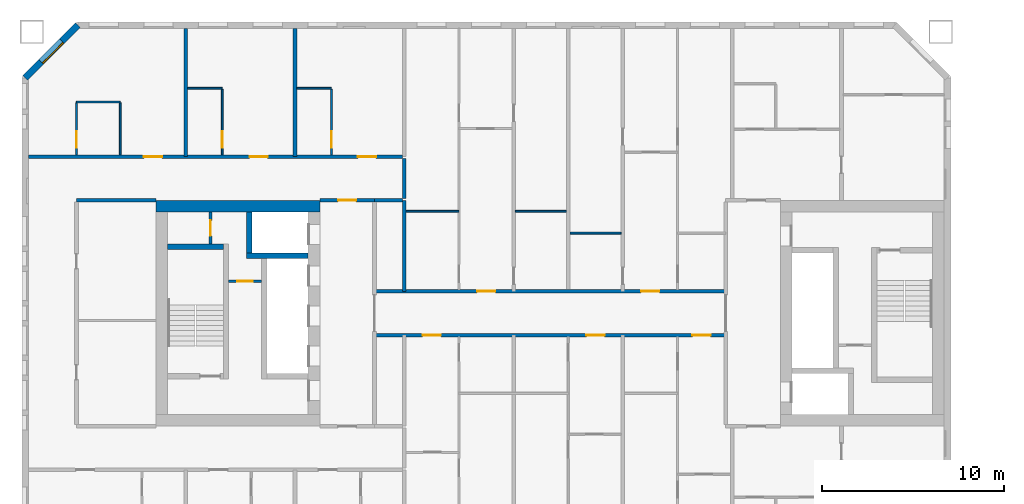
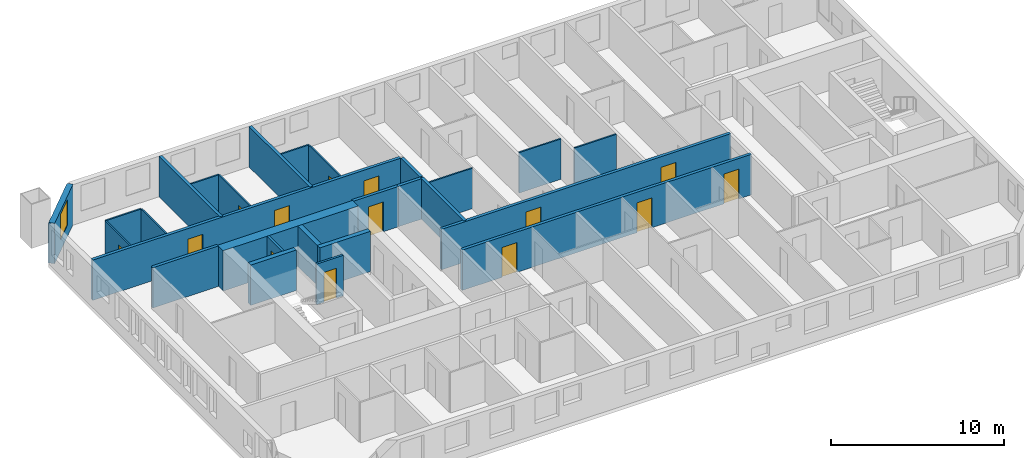
# One storey, part 5 of 17: 27 walls, 14 doors, 1 window, 15 openings.
"""IFC4 building model written with IfcOpenShell, lengths in metres."""

from ifc_helpers import new_model, si_unit, direction, frame, frame_2d, origin, place, context, subcontext, project, spatial, rectangle, extrude, material, layer, layer_set, type_object, element, fill, save


model = new_model("IFC4")

# Units and contexts
model_context = context("Model", 3, precision=1e-05, world=origin(), true_north=direction((0.0, 1.0)))
body_context = subcontext(model_context, "Body", "Model", "MODEL_VIEW")
ifc_project = project(units=[si_unit("LENGTHUNIT", "METRE"), si_unit("AREAUNIT", "SQUARE_METRE"), si_unit("VOLUMEUNIT", "CUBIC_METRE"), si_unit("PLANEANGLEUNIT", "RADIAN"), si_unit("MASSUNIT", "GRAM", prefix="KILO")], contexts=[model_context])

# Site, building, storey
site_placement = place(None, origin())
site = spatial("IfcSite", under=ifc_project, at=site_placement, CompositionType="ELEMENT")
building_placement = place(site_placement, origin())
building = spatial("IfcBuilding", under=site, at=building_placement, Name="Tuart Gate Housing", CompositionType="ELEMENT")
storey_placement = place(building_placement, frame((0.0, 0.0, 108.800048828125)))
storey = spatial("IfcBuildingStorey", under=building, at=storey_placement, Name="L30", CompositionType="ELEMENT", Elevation=108.800048828125)

# Wall, opening, window
ifc_material_1 = material(Name="Brick", Category="masonry")
ifc_layer_1 = layer(ifc_material_1, 0.360107421875)
ifc_layer_set_1 = layer_set([ifc_layer_1], Name="Brick pier and spandrel wall 360")
wall_type_1 = type_object("IfcWallType", Name="Brick pier and spandrel wall 360", PredefinedType="STANDARD", material=ifc_layer_set_1)
wall_1_placement = place(storey_placement, frame((28.07470703125, 85.820068359375, 0.0), z_axis=(0.0, 0.0, 1.0), x_axis=(-0.707106781187, -0.707106781187, 0.0)))
wall_1 = element("IfcWall", 1, at=wall_1_placement, inside=storey, type_object=wall_type_1, Name="External wall A-NW L30", PredefinedType="STANDARD", context=body_context, shape_type="SweptSolid", body=[
    extrude(rectangle(XDim=4.09375, YDim=0.360107421875, at=frame_2d((2.046875, 0.0))), origin(), (0.0, 0.0, 1.0), 2.849853515625),
])
opening_1_placement = place(wall_1_placement, frame((1.2470703125, 0.0, 0.800048828125)))
opening_1 = element("IfcOpeningElement", 2, at=opening_1_placement, cuts=wall_1, Name="Opening W1", PredefinedType="OPENING", context=body_context, shape_type="SweptSolid", body=[
    extrude(rectangle(XDim=1.60009765625, YDim=1.800048828125, at=frame_2d((0.800048828125, 0.89990234375))), frame((0.0, 0.18994140625, 0.0), z_axis=(0.0, -1.0, 0.0), x_axis=(1.0, 0.0, 0.0)), (0.0, 0.0, 1.0), 0.380126953125),
])
ifc_material_2 = material(Name="Aluminium frame with clear glass", Category="aluminium")
window_type = type_object("IfcWindowType", Name="Punched window 1600 x 1800", PartitioningType="SINGLE_PANEL", PredefinedType="WINDOW", material=ifc_material_2)
window_placement = place(opening_1_placement, origin())
window = element("IfcWindow", 3, at=window_placement, inside=storey, type_object=window_type, Name="Window W1", OverallHeight=1.800048828125, OverallWidth=1.60009765625, PartitioningType="SINGLE_PANEL", PredefinedType="WINDOW", context=body_context, shape_type="SweptSolid", body=[
    extrude(rectangle(XDim=1.60009765625, YDim=1.800048828125, at=frame_2d((0.800048828125, 0.89990234375))), frame((0.0, 0.150146484375, 0.0), z_axis=(0.0, -1.0, 0.0), x_axis=(1.0, 0.0, 0.0)), (0.0, 0.0, 1.0), 0.06005859375),
])
fill(opening_1, window)

# Wall, opening, door
ifc_material_3 = material(Name="Plasterboard partition")
ifc_layer_2 = layer(ifc_material_3, 0.14990234375)
ifc_layer_set_2 = layer_set([ifc_layer_2], Name="Core partition 150")
wall_type_2 = type_object("IfcWallType", Name="Core partition 150", PredefinedType="PARTITIONING", material=ifc_layer_set_2)
wall_2_placement = place(storey_placement, frame((38.159912109375, 71.75, 0.0), z_axis=(0.0, 0.0, 1.0), x_axis=(-1.0, 0.0, 0.0)))
wall_2 = element("IfcWall", 4, at=wall_2_placement, inside=storey, type_object=wall_type_2, Name="Core partition AK.3", PredefinedType="PARTITIONING", context=body_context, shape_type="SweptSolid", body=[
    extrude(rectangle(XDim=1.7998046875, YDim=0.14990234375, at=frame_2d((0.89990234375, 0.0))), origin(), (0.0, 0.0, 1.0), 2.849853515625),
])
opening_2_placement = place(wall_2_placement, frame((0.47509765625, 0.0, 0.0)))
opening_2 = element("IfcOpeningElement", 5, at=opening_2_placement, cuts=wall_2, Name="Opening D1202", PredefinedType="OPENING", context=body_context, shape_type="SweptSolid", body=[
    extrude(rectangle(XDim=0.85009765625, YDim=2.10009765625, at=frame_2d((0.425048828125, 1.050048828125))), frame((0.0, 0.0849609375, 0.0), z_axis=(0.0, -1.0, 0.0), x_axis=(1.0, 0.0, 0.0)), (0.0, 0.0, 1.0), 0.169921875),
])
ifc_material_4 = material(Name="Steel fire door", Category="steel")
door_type_1 = type_object("IfcDoorType", Name="Riser door 850 x 2100 RH", OperationType="SINGLE_SWING_RIGHT", PredefinedType="DOOR", material=ifc_material_4)
door_1_placement = place(opening_2_placement, frame((0.85009765625, 0.0, 0.0), z_axis=(0.0, 0.0, 1.0), x_axis=(-1.0, 0.0, 0.0)))
door_1 = element("IfcDoor", 6, at=door_1_placement, inside=storey, type_object=door_type_1, Name="Service room door AK.E1", OperationType="SINGLE_SWING_RIGHT", OverallHeight=2.10009765625, OverallWidth=0.85009765625, PredefinedType="DOOR", context=body_context, shape_type="SweptSolid", body=[
    extrude(rectangle(XDim=0.85009765625, YDim=2.10009765625, at=frame_2d((0.425048828125, 1.050048828125))), frame((0.0, 0.025146484375, 0.0), z_axis=(0.0, -1.0, 0.0), x_axis=(1.0, 0.0, 0.0)), (0.0, 0.0, 1.0), 0.050048828125),
])
fill(opening_2, door_1)

wall_3_placement = place(storey_placement, frame((35.360107421875, 75.550048828125, 0.0), z_axis=(0.0, 0.0, 1.0), x_axis=(0.0, -1.0, 0.0)))
wall_3 = element("IfcWall", 7, at=wall_3_placement, inside=storey, type_object=wall_type_2, Name="Core partition AK.9", PredefinedType="PARTITIONING", context=body_context, shape_type="SweptSolid", body=[
    extrude(rectangle(XDim=1.75, YDim=0.14990234375, at=frame_2d((0.875, 0.0))), origin(), (0.0, 0.0, 1.0), 2.849853515625),
])
opening_3_placement = place(wall_3_placement, frame((0.449951171875, 0.0, 0.0)))
opening_3 = element("IfcOpeningElement", 8, at=opening_3_placement, cuts=wall_3, Name="Opening D1200", PredefinedType="OPENING", context=body_context, shape_type="SweptSolid", body=[
    extrude(rectangle(XDim=0.85009765625, YDim=2.10009765625, at=frame_2d((0.425048828125, 1.050048828125))), frame((0.0, 0.0849609375, 0.0), z_axis=(0.0, -1.0, 0.0), x_axis=(1.0, 0.0, 0.0)), (0.0, 0.0, 1.0), 0.169921875),
])
ifc_material_5 = material(Name="Steel fire door", Category="steel")
door_type_2 = type_object("IfcDoorType", Name="Service door 850 x 2100", OperationType="SINGLE_SWING_LEFT", PredefinedType="DOOR", material=ifc_material_5)
door_2_placement = place(opening_3_placement, origin())
door_2 = element("IfcDoor", 9, at=door_2_placement, inside=storey, type_object=door_type_2, Name="Service room door AK.E2", OperationType="SINGLE_SWING_LEFT", OverallHeight=2.10009765625, OverallWidth=0.85009765625, PredefinedType="DOOR", context=body_context, shape_type="SweptSolid", body=[
    extrude(rectangle(XDim=0.85009765625, YDim=2.10009765625, at=frame_2d((0.425048828125, 1.050048828125))), frame((0.0, 0.02490234375, 0.0), z_axis=(0.0, -1.0, 0.0), x_axis=(1.0, 0.0, 0.0)), (0.0, 0.0, 1.0), 0.050048828125),
])
fill(opening_3, door_2)

# Walls
ifc_material_6 = material(Name="Concrete C50", Category="concrete")
ifc_layer_3 = layer(ifc_material_6, 0.300048828125)
ifc_layer_set_3 = layer_set([ifc_layer_3], Name="Core wall 300 C50")
wall_type_3 = type_object("IfcWallType", Name="Core wall 300 C50", PredefinedType="SHEAR", material=ifc_layer_set_3)
wall_4_placement = place(storey_placement, frame((36.06005859375, 73.64990234375, 0.0), z_axis=(0.0, 0.0, 1.0), x_axis=(-1.0, 0.0, 0.0)))
element("IfcWall", 10, at=wall_4_placement, inside=storey, type_object=wall_type_3, Name="Core wall AK.1", PredefinedType="SHEAR", context=body_context, shape_type="SweptSolid", body=[
    extrude(rectangle(XDim=3.050048828125, YDim=0.300048828125, at=frame_2d((1.52490234375, 0.0))), origin(), (0.0, 0.0, 1.0), 2.849853515625),
])
wall_5_placement = place(storey_placement, frame((40.7099609375, 73.14990234375, 0.0), z_axis=(0.0, 0.0, 1.0), x_axis=(-1.0, 0.0, 0.0)))
element("IfcWall", 11, at=wall_5_placement, inside=storey, type_object=wall_type_3, Name="Core wall AK.2", PredefinedType="SHEAR", context=body_context, shape_type="SweptSolid", body=[
    extrude(rectangle(XDim=3.369873046875, YDim=0.300048828125, at=frame_2d((1.68505859375, 0.0))), origin(), (0.0, 0.0, 1.0), 2.849853515625),
])
wall_6_placement = place(storey_placement, frame((37.489990234375, 75.550048828125, 0.0), z_axis=(0.0, 0.0, 1.0), x_axis=(0.0, -1.0, 0.0)))
element("IfcWall", 12, at=wall_6_placement, inside=storey, type_object=wall_type_3, Name="Core wall AK.7", PredefinedType="SHEAR", context=body_context, shape_type="SweptSolid", body=[
    extrude(rectangle(XDim=2.25, YDim=0.300048828125, at=frame_2d((1.125, 0.0))), origin(), (0.0, 0.0, 1.0), 2.849853515625),
])
ifc_material_7 = material(Name="Concrete C50", Category="concrete")
ifc_layer_4 = layer(ifc_material_7, 0.64990234375)
ifc_layer_set_4 = layer_set([ifc_layer_4], Name="Core wall 650 C50")
wall_type_4 = type_object("IfcWallType", Name="Core wall 650 C50", PredefinedType="SHEAR", material=ifc_layer_set_4)
wall_7_placement = place(storey_placement, frame((41.360107421875, 75.875, 0.0), z_axis=(0.0, 0.0, 1.0), x_axis=(-1.0, 0.0, 0.0)))
element("IfcWall", 13, at=wall_7_placement, inside=storey, type_object=wall_type_4, Name="Core wall AK south", PredefinedType="SHEAR", context=body_context, shape_type="SweptSolid", body=[
    extrude(rectangle(XDim=9.0, YDim=0.64990234375, at=frame_2d((4.5, 0.0))), origin(), (0.0, 0.0, 1.0), 2.849853515625),
])

# Wall, openings, doors
ifc_material_8 = material(Name="Concrete masonry 15 MPa", Category="masonry")
ifc_layer_5 = layer(ifc_material_8, 0.199951171875)
ifc_layer_set_5 = layer_set([ifc_layer_5], Name="Corridor wall masonry 200")
wall_type_5 = type_object("IfcWallType", Name="Corridor wall masonry 200", PredefinedType="PARTITIONING", material=ifc_layer_set_5)
wall_8_placement = place(storey_placement, frame((44.360107421875, 68.800048828125, 0.0), z_axis=(0.0, 0.0, 1.0), x_axis=(1.0, 0.0, 0.0)))
wall_8 = element("IfcWall", 14, at=wall_8_placement, inside=storey, type_object=wall_type_5, Name="Corridor wall masonry 200", PredefinedType="PARTITIONING", context=body_context, shape_type="SweptSolid", body=[
    extrude(rectangle(XDim=19.27978515625, YDim=0.199951171875, at=frame_2d((9.639892578125, 0.0))), origin(), (0.0, 0.0, 1.0), 2.849853515625),
])
opening_4_placement = place(wall_8_placement, frame((17.4599609375, 0.0, 0.0)))
opening_4 = element("IfcOpeningElement", 15, at=opening_4_placement, cuts=wall_8, Name="Opening D1211", PredefinedType="OPENING", context=body_context, shape_type="SweptSolid", body=[
    extrude(rectangle(XDim=1.0, YDim=2.10009765625, at=frame_2d((0.5, 1.050048828125))), frame((0.0, 0.10986328125, 0.0), z_axis=(0.0, -1.0, 0.0), x_axis=(1.0, 0.0, 0.0)), (0.0, 0.0, 1.0), 0.219970703125),
])
opening_5_placement = place(wall_8_placement, frame((11.639892578125, 0.0, 0.0)))
opening_5 = element("IfcOpeningElement", 16, at=opening_5_placement, cuts=wall_8, Name="Opening D1212", PredefinedType="OPENING", context=body_context, shape_type="SweptSolid", body=[
    extrude(rectangle(XDim=1.0, YDim=2.10009765625, at=frame_2d((0.5, 1.050048828125))), frame((0.0, 0.10986328125, 0.0), z_axis=(0.0, -1.0, 0.0), x_axis=(1.0, 0.0, 0.0)), (0.0, 0.0, 1.0), 0.219970703125),
])
opening_6_placement = place(wall_8_placement, frame((2.639892578125, 0.0, 0.0)))
opening_6 = element("IfcOpeningElement", 17, at=opening_6_placement, cuts=wall_8, Name="Opening D1213", PredefinedType="OPENING", context=body_context, shape_type="SweptSolid", body=[
    extrude(rectangle(XDim=1.0, YDim=2.10009765625, at=frame_2d((0.5, 1.050048828125))), frame((0.0, 0.10986328125, 0.0), z_axis=(0.0, -1.0, 0.0), x_axis=(1.0, 0.0, 0.0)), (0.0, 0.0, 1.0), 0.219970703125),
])
ifc_material_9 = material(Name="Timber door leaf in steel frame", Category="steel")
door_type_3 = type_object("IfcDoorType", Name="Flat entrance door 1000 RH", OperationType="SINGLE_SWING_RIGHT", PredefinedType="DOOR", material=ifc_material_9)
door_3_placement = place(opening_4_placement, frame((1.0, 0.0, 0.0), z_axis=(0.0, 0.0, 1.0), x_axis=(-1.0, 0.0, 0.0)))
door_3 = element("IfcDoor", 18, at=door_3_placement, inside=storey, type_object=door_type_3, Name="Flat entrance door", OperationType="SINGLE_SWING_RIGHT", OverallHeight=2.10009765625, OverallWidth=1.0, PredefinedType="DOOR", context=body_context, shape_type="SweptSolid", body=[
    extrude(rectangle(XDim=1.0, YDim=2.10009765625, at=frame_2d((0.5, 1.050048828125))), frame((0.0, 0.025146484375, 0.0), z_axis=(0.0, -1.0, 0.0), x_axis=(1.0, 0.0, 0.0)), (0.0, 0.0, 1.0), 0.050048828125),
])
fill(opening_4, door_3)
door_4_placement = place(opening_5_placement, frame((1.0, 0.0, 0.0), z_axis=(0.0, 0.0, 1.0), x_axis=(-1.0, 0.0, 0.0)))
door_4 = element("IfcDoor", 19, at=door_4_placement, inside=storey, type_object=door_type_3, Name="Flat entrance door", OperationType="SINGLE_SWING_RIGHT", OverallHeight=2.10009765625, OverallWidth=1.0, PredefinedType="DOOR", context=body_context, shape_type="SweptSolid", body=[
    extrude(rectangle(XDim=1.0, YDim=2.10009765625, at=frame_2d((0.5, 1.050048828125))), frame((0.0, 0.025146484375, 0.0), z_axis=(0.0, -1.0, 0.0), x_axis=(1.0, 0.0, 0.0)), (0.0, 0.0, 1.0), 0.050048828125),
])
fill(opening_5, door_4)
door_5_placement = place(opening_6_placement, frame((1.0, 0.0, 0.0), z_axis=(0.0, 0.0, 1.0), x_axis=(-1.0, 0.0, 0.0)))
door_5 = element("IfcDoor", 20, at=door_5_placement, inside=storey, type_object=door_type_3, Name="Flat entrance door", OperationType="SINGLE_SWING_RIGHT", OverallHeight=2.10009765625, OverallWidth=1.0, PredefinedType="DOOR", context=body_context, shape_type="SweptSolid", body=[
    extrude(rectangle(XDim=1.0, YDim=2.10009765625, at=frame_2d((0.5, 1.050048828125))), frame((0.0, 0.025146484375, 0.0), z_axis=(0.0, -1.0, 0.0), x_axis=(1.0, 0.0, 0.0)), (0.0, 0.0, 1.0), 0.050048828125),
])
fill(opening_6, door_5)

wall_9_placement = place(storey_placement, frame((44.360107421875, 71.199951171875, 0.0), z_axis=(0.0, 0.0, 1.0), x_axis=(1.0, 0.0, 0.0)))
wall_9 = element("IfcWall", 21, at=wall_9_placement, inside=storey, type_object=wall_type_5, Name="Corridor wall masonry 200", PredefinedType="PARTITIONING", context=body_context, shape_type="SweptSolid", body=[
    extrude(rectangle(XDim=19.27978515625, YDim=0.199951171875, at=frame_2d((9.639892578125, 0.0))), origin(), (0.0, 0.0, 1.0), 2.849853515625),
])
opening_7_placement = place(wall_9_placement, frame((14.639892578125, 0.0, 0.0)))
opening_7 = element("IfcOpeningElement", 22, at=opening_7_placement, cuts=wall_9, Name="Opening D1203", PredefinedType="OPENING", context=body_context, shape_type="SweptSolid", body=[
    extrude(rectangle(XDim=1.0, YDim=2.10009765625, at=frame_2d((0.5, 1.050048828125))), frame((0.0, 0.10986328125, 0.0), z_axis=(0.0, -1.0, 0.0), x_axis=(1.0, 0.0, 0.0)), (0.0, 0.0, 1.0), 0.219970703125),
])
opening_8_placement = place(wall_9_placement, frame((5.639892578125, 0.0, 0.0)))
opening_8 = element("IfcOpeningElement", 23, at=opening_8_placement, cuts=wall_9, Name="Opening D1204", PredefinedType="OPENING", context=body_context, shape_type="SweptSolid", body=[
    extrude(rectangle(XDim=1.0, YDim=2.10009765625, at=frame_2d((0.5, 1.050048828125))), frame((0.0, 0.10986328125, 0.0), z_axis=(0.0, -1.0, 0.0), x_axis=(1.0, 0.0, 0.0)), (0.0, 0.0, 1.0), 0.219970703125),
])
ifc_material_10 = material(Name="Timber door leaf in steel frame", Category="steel")
door_type_4 = type_object("IfcDoorType", Name="Flat entrance door 1000", OperationType="SINGLE_SWING_LEFT", PredefinedType="DOOR", material=ifc_material_10)
door_6_placement = place(opening_7_placement, origin())
door_6 = element("IfcDoor", 24, at=door_6_placement, inside=storey, type_object=door_type_4, Name="Flat entrance door", OperationType="SINGLE_SWING_LEFT", OverallHeight=2.10009765625, OverallWidth=1.0, PredefinedType="DOOR", context=body_context, shape_type="SweptSolid", body=[
    extrude(rectangle(XDim=1.0, YDim=2.10009765625, at=frame_2d((0.5, 1.050048828125))), frame((0.0, 0.02490234375, 0.0), z_axis=(0.0, -1.0, 0.0), x_axis=(1.0, 0.0, 0.0)), (0.0, 0.0, 1.0), 0.050048828125),
])
fill(opening_7, door_6)
door_7_placement = place(opening_8_placement, origin())
door_7 = element("IfcDoor", 25, at=door_7_placement, inside=storey, type_object=door_type_4, Name="Flat entrance door", OperationType="SINGLE_SWING_LEFT", OverallHeight=2.10009765625, OverallWidth=1.0, PredefinedType="DOOR", context=body_context, shape_type="SweptSolid", body=[
    extrude(rectangle(XDim=1.0, YDim=2.10009765625, at=frame_2d((0.5, 1.050048828125))), frame((0.0, 0.02490234375, 0.0), z_axis=(0.0, -1.0, 0.0), x_axis=(1.0, 0.0, 0.0)), (0.0, 0.0, 1.0), 0.050048828125),
])
fill(opening_8, door_7)

# Walls
wall_10_placement = place(storey_placement, frame((28.0, 76.199951171875, 0.0), z_axis=(0.0, 0.0, 1.0), x_axis=(1.0, 0.0, 0.0)))
element("IfcWall", 26, at=wall_10_placement, inside=storey, type_object=wall_type_5, Name="Corridor wall masonry 200", PredefinedType="PARTITIONING", context=body_context, shape_type="SweptSolid", body=[
    extrude(rectangle(XDim=4.360107421875, YDim=0.199951171875, at=frame_2d((2.18017578125, 0.0))), origin(), (0.0, 0.0, 1.0), 2.849853515625),
])
wall_11_placement = place(storey_placement, frame((44.360107421875, 76.199951171875, 0.0), z_axis=(0.0, 0.0, 1.0), x_axis=(1.0, 0.0, 0.0)))
element("IfcWall", 27, at=wall_11_placement, inside=storey, type_object=wall_type_5, Name="Corridor wall masonry 200", PredefinedType="PARTITIONING", context=body_context, shape_type="SweptSolid", body=[
    extrude(rectangle(XDim=1.539794921875, YDim=0.199951171875, at=frame_2d((0.77001953125, 0.0))), origin(), (0.0, 0.0, 1.0), 2.849853515625),
])

# Wall, openings, doors
wall_12_placement = place(storey_placement, frame((25.360107421875, 78.60009765625, 0.0), z_axis=(0.0, 0.0, 1.0), x_axis=(1.0, 0.0, 0.0)))
wall_12 = element("IfcWall", 28, at=wall_12_placement, inside=storey, type_object=wall_type_5, Name="Corridor wall masonry 200", PredefinedType="PARTITIONING", context=body_context, shape_type="SweptSolid", body=[
    extrude(rectangle(XDim=20.539794921875, YDim=0.199951171875, at=frame_2d((10.27001953125, 0.0))), origin(), (0.0, 0.0, 1.0), 2.849853515625),
])
opening_9_placement = place(wall_12_placement, frame((18.090087890625, 0.0, 0.0)))
opening_9 = element("IfcOpeningElement", 29, at=opening_9_placement, cuts=wall_12, Name="Opening D1187", PredefinedType="OPENING", context=body_context, shape_type="SweptSolid", body=[
    extrude(rectangle(XDim=1.0, YDim=2.10009765625, at=frame_2d((0.5, 1.050048828125))), frame((0.0, 0.10986328125, 0.0), z_axis=(0.0, -1.0, 0.0), x_axis=(1.0, 0.0, 0.0)), (0.0, 0.0, 1.0), 0.219970703125),
])
opening_10_placement = place(wall_12_placement, frame((12.139892578125, 0.0, 0.0)))
opening_10 = element("IfcOpeningElement", 30, at=opening_10_placement, cuts=wall_12, Name="Opening D1188", PredefinedType="OPENING", context=body_context, shape_type="SweptSolid", body=[
    extrude(rectangle(XDim=1.0, YDim=2.10009765625, at=frame_2d((0.5, 1.050048828125))), frame((0.0, 0.10986328125, 0.0), z_axis=(0.0, -1.0, 0.0), x_axis=(1.0, 0.0, 0.0)), (0.0, 0.0, 1.0), 0.219970703125),
])
opening_11_placement = place(wall_12_placement, frame((6.340087890625, 0.0, 0.0)))
opening_11 = element("IfcOpeningElement", 31, at=opening_11_placement, cuts=wall_12, Name="Opening D1189", PredefinedType="OPENING", context=body_context, shape_type="SweptSolid", body=[
    extrude(rectangle(XDim=1.0, YDim=2.10009765625, at=frame_2d((0.5, 1.050048828125))), frame((0.0, 0.10986328125, 0.0), z_axis=(0.0, -1.0, 0.0), x_axis=(1.0, 0.0, 0.0)), (0.0, 0.0, 1.0), 0.219970703125),
])
door_8_placement = place(opening_9_placement, origin())
door_8 = element("IfcDoor", 32, at=door_8_placement, inside=storey, type_object=door_type_4, Name="Flat entrance door", OperationType="SINGLE_SWING_LEFT", OverallHeight=2.10009765625, OverallWidth=1.0, PredefinedType="DOOR", context=body_context, shape_type="SweptSolid", body=[
    extrude(rectangle(XDim=1.0, YDim=2.10009765625, at=frame_2d((0.5, 1.050048828125))), frame((0.0, 0.02490234375, 0.0), z_axis=(0.0, -1.0, 0.0), x_axis=(1.0, 0.0, 0.0)), (0.0, 0.0, 1.0), 0.050048828125),
])
fill(opening_9, door_8)
door_9_placement = place(opening_10_placement, origin())
door_9 = element("IfcDoor", 33, at=door_9_placement, inside=storey, type_object=door_type_4, Name="Flat entrance door", OperationType="SINGLE_SWING_LEFT", OverallHeight=2.10009765625, OverallWidth=1.0, PredefinedType="DOOR", context=body_context, shape_type="SweptSolid", body=[
    extrude(rectangle(XDim=1.0, YDim=2.10009765625, at=frame_2d((0.5, 1.050048828125))), frame((0.0, 0.02490234375, 0.0), z_axis=(0.0, -1.0, 0.0), x_axis=(1.0, 0.0, 0.0)), (0.0, 0.0, 1.0), 0.050048828125),
])
fill(opening_10, door_9)
door_10_placement = place(opening_11_placement, origin())
door_10 = element("IfcDoor", 34, at=door_10_placement, inside=storey, type_object=door_type_4, Name="Flat entrance door", OperationType="SINGLE_SWING_LEFT", OverallHeight=2.10009765625, OverallWidth=1.0, PredefinedType="DOOR", context=body_context, shape_type="SweptSolid", body=[
    extrude(rectangle(XDim=1.0, YDim=2.10009765625, at=frame_2d((0.5, 1.050048828125))), frame((0.0, 0.02490234375, 0.0), z_axis=(0.0, -1.0, 0.0), x_axis=(1.0, 0.0, 0.0)), (0.0, 0.0, 1.0), 0.050048828125),
])
fill(opening_11, door_10)

# Wall
wall_13_placement = place(storey_placement, frame((46.0, 76.300048828125, 0.0), z_axis=(0.0, 0.0, 1.0), x_axis=(0.0, 1.0, 0.0)))
element("IfcWall", 35, at=wall_13_placement, inside=storey, type_object=wall_type_5, Name="Corridor wall masonry 200", PredefinedType="PARTITIONING", context=body_context, shape_type="SweptSolid", body=[
    extrude(rectangle(XDim=2.199951171875, YDim=0.199951171875, at=frame_2d((1.10009765625, 0.0))), origin(), (0.0, 0.0, 1.0), 2.849853515625),
])

# Wall, opening, door
ifc_material_11 = material(Name="Concrete masonry 15 MPa", Category="masonry")
ifc_layer_6 = layer(ifc_material_11, 0.199951171875)
ifc_layer_set_6 = layer_set([ifc_layer_6], Name="Enclosure wall masonry 200")
wall_type_6 = type_object("IfcWallType", Name="Enclosure wall masonry 200", PredefinedType="PARTITIONING", material=ifc_layer_set_6)
wall_14_placement = place(storey_placement, frame((41.360107421875, 76.199951171875, 0.0), z_axis=(0.0, 0.0, 1.0), x_axis=(1.0, 0.0, 0.0)))
wall_14 = element("IfcWall", 36, at=wall_14_placement, inside=storey, type_object=wall_type_6, Name="Enclosure wall masonry 200", PredefinedType="PARTITIONING", context=body_context, shape_type="SweptSolid", body=[
    extrude(rectangle(XDim=3.0, YDim=0.199951171875, at=frame_2d((1.5, 0.0))), origin(), (0.0, 0.0, 1.0), 2.849853515625),
])
opening_12_placement = place(wall_14_placement, frame((1.0, 0.0, 0.0)))
opening_12 = element("IfcOpeningElement", 37, at=opening_12_placement, cuts=wall_14, Name="Opening D1198", PredefinedType="OPENING", context=body_context, shape_type="SweptSolid", body=[
    extrude(rectangle(XDim=1.0, YDim=2.10009765625, at=frame_2d((0.5, 1.050048828125))), frame((0.0, 0.10986328125, 0.0), z_axis=(0.0, -1.0, 0.0), x_axis=(1.0, 0.0, 0.0)), (0.0, 0.0, 1.0), 0.219970703125),
])
ifc_material_12 = material(Name="Timber door leaf in steel frame", Category="steel")
door_type_5 = type_object("IfcDoorType", Name="Fire door 1000 RH", OperationType="SINGLE_SWING_RIGHT", PredefinedType="DOOR", material=ifc_material_12)
door_11_placement = place(opening_12_placement, origin())
door_11 = element("IfcDoor", 38, at=door_11_placement, inside=storey, type_object=door_type_5, Name="Fire door", OperationType="SINGLE_SWING_RIGHT", OverallHeight=2.10009765625, OverallWidth=1.0, PredefinedType="DOOR", context=body_context, shape_type="SweptSolid", body=[
    extrude(rectangle(XDim=1.0, YDim=2.10009765625, at=frame_2d((0.5, 1.050048828125))), frame((0.0, 0.02490234375, 0.0), z_axis=(0.0, -1.0, 0.0), x_axis=(1.0, 0.0, 0.0)), (0.0, 0.0, 1.0), 0.050048828125),
])
fill(opening_12, door_11)

# Walls
ifc_material_13 = material(Name="Gypsum board on steel studs", Category="steel")
ifc_layer_7 = layer(ifc_material_13, 0.10009765625)
ifc_layer_set_7 = layer_set([ifc_layer_7], Name="Partition 100")
wall_type_7 = type_object("IfcWallType", Name="Partition 100", PredefinedType="PARTITIONING", material=ifc_layer_set_7)
wall_15_placement = place(storey_placement, frame((55.10009765625, 74.39990234375, 0.0), z_axis=(0.0, 0.0, 1.0), x_axis=(1.0, 0.0, 0.0)))
element("IfcWall", 39, at=wall_15_placement, inside=storey, type_object=wall_type_7, Name="Partition 100", PredefinedType="PARTITIONING", context=body_context, shape_type="SweptSolid", body=[
    extrude(rectangle(XDim=2.7998046875, YDim=0.10009765625, at=frame_2d((1.39990234375, 0.0))), origin(), (0.0, 0.0, 1.0), 2.849853515625),
])
wall_16_placement = place(storey_placement, frame((46.10009765625, 75.60009765625, 0.0), z_axis=(0.0, 0.0, 1.0), x_axis=(1.0, 0.0, 0.0)))
element("IfcWall", 40, at=wall_16_placement, inside=storey, type_object=wall_type_7, Name="Partition 100", PredefinedType="PARTITIONING", context=body_context, shape_type="SweptSolid", body=[
    extrude(rectangle(XDim=2.89990234375, YDim=0.10009765625, at=frame_2d((1.449951171875, 0.0))), origin(), (0.0, 0.0, 1.0), 2.849853515625),
])
wall_17_placement = place(storey_placement, frame((52.10009765625, 75.60009765625, 0.0), z_axis=(0.0, 0.0, 1.0), x_axis=(1.0, 0.0, 0.0)))
element("IfcWall", 41, at=wall_17_placement, inside=storey, type_object=wall_type_7, Name="Partition 100", PredefinedType="PARTITIONING", context=body_context, shape_type="SweptSolid", body=[
    extrude(rectangle(XDim=2.7998046875, YDim=0.10009765625, at=frame_2d((1.39990234375, 0.0))), origin(), (0.0, 0.0, 1.0), 2.849853515625),
])
wall_18_placement = place(storey_placement, frame((28.0, 81.60009765625, 0.0), z_axis=(0.0, 0.0, 1.0), x_axis=(1.0, 0.0, 0.0)))
element("IfcWall", 42, at=wall_18_placement, inside=storey, type_object=wall_type_7, Name="Partition 100", PredefinedType="PARTITIONING", context=body_context, shape_type="SweptSolid", body=[
    extrude(rectangle(XDim=2.39990234375, YDim=0.10009765625, at=frame_2d((1.199951171875, 0.0))), origin(), (0.0, 0.0, 1.0), 2.849853515625),
])
for number, where, z_axis, x_axis, name in (
    (43, (34.10009765625, 82.35009765625, 0.0), (0.0, 0.0, 1.0), (1.0, 0.0, 0.0), "Partition 100"),
    (44, (40.10009765625, 82.35009765625, 0.0), (0.0, 0.0, 1.0), (1.0, 0.0, 0.0), "Partition 100"),
):
    element("IfcWall", number, at=place(storey_placement, frame(where, z_axis=z_axis, x_axis=x_axis)), inside=storey, type_object=wall_type_7, Name=name, PredefinedType="PARTITIONING", context=body_context, shape_type="SweptSolid", body=[
        extrude(rectangle(XDim=1.89990234375, YDim=0.10009765625, at=frame_2d((0.949951171875, 0.0))), origin(), (0.0, 0.0, 1.0), 2.849853515625),
    ])

# Wall, opening, door
wall_19_placement = place(storey_placement, frame((28.0, 78.699951171875, 0.0), z_axis=(0.0, 0.0, 1.0), x_axis=(0.0, 1.0, 0.0)))
wall_19 = element("IfcWall", 45, at=wall_19_placement, inside=storey, type_object=wall_type_7, Name="Partition 100", PredefinedType="PARTITIONING", context=body_context, shape_type="SweptSolid", body=[
    extrude(rectangle(XDim=2.85009765625, YDim=0.10009765625, at=frame_2d((1.425048828125, 0.0))), origin(), (0.0, 0.0, 1.0), 2.849853515625),
])
opening_13_placement = place(wall_19_placement, frame((0.39990234375, 0.0, 0.0)))
opening_13 = element("IfcOpeningElement", 46, at=opening_13_placement, cuts=wall_19, Name="Opening D1183", PredefinedType="OPENING", context=body_context, shape_type="SweptSolid", body=[
    extrude(rectangle(XDim=0.89990234375, YDim=2.10009765625, at=frame_2d((0.449951171875, 1.050048828125))), frame((0.0, 0.06005859375, 0.0), z_axis=(0.0, -1.0, 0.0), x_axis=(1.0, 0.0, 0.0)), (0.0, 0.0, 1.0), 0.1201171875),
])
ifc_material_14 = material(Name="Timber door leaf in steel frame", Category="steel")
door_type_6 = type_object("IfcDoorType", Name="Bathroom door 900 RH", OperationType="SINGLE_SWING_RIGHT", PredefinedType="DOOR", material=ifc_material_14)
door_12_placement = place(opening_13_placement, frame((0.89990234375, 0.0, 0.0), z_axis=(0.0, 0.0, 1.0), x_axis=(-1.0, 0.0, 0.0)))
door_12 = element("IfcDoor", 47, at=door_12_placement, inside=storey, type_object=door_type_6, Name="Bathroom door", OperationType="SINGLE_SWING_RIGHT", OverallHeight=2.10009765625, OverallWidth=0.89990234375, PredefinedType="DOOR", context=body_context, shape_type="SweptSolid", body=[
    extrude(rectangle(XDim=0.89990234375, YDim=2.10009765625, at=frame_2d((0.449951171875, 1.050048828125))), frame((0.0, 0.025146484375, 0.0), z_axis=(0.0, -1.0, 0.0), x_axis=(1.0, 0.0, 0.0)), (0.0, 0.0, 1.0), 0.050048828125),
])
fill(opening_13, door_12)

# Wall
wall_20_placement = place(storey_placement, frame((30.39990234375, 78.699951171875, 0.0), z_axis=(0.0, 0.0, 1.0), x_axis=(0.0, 1.0, 0.0)))
element("IfcWall", 48, at=wall_20_placement, inside=storey, type_object=wall_type_7, Name="Partition 100", PredefinedType="PARTITIONING", context=body_context, shape_type="SweptSolid", body=[
    extrude(rectangle(XDim=2.85009765625, YDim=0.10009765625, at=frame_2d((1.425048828125, 0.0))), origin(), (0.0, 0.0, 1.0), 2.849853515625),
])

# Wall, opening, door
wall_21_placement = place(storey_placement, frame((36.0, 78.699951171875, 0.0), z_axis=(0.0, 0.0, 1.0), x_axis=(0.0, 1.0, 0.0)))
wall_21 = element("IfcWall", 49, at=wall_21_placement, inside=storey, type_object=wall_type_7, Name="Partition 100", PredefinedType="PARTITIONING", context=body_context, shape_type="SweptSolid", body=[
    extrude(rectangle(XDim=3.60009765625, YDim=0.10009765625, at=frame_2d((1.800048828125, 0.0))), origin(), (0.0, 0.0, 1.0), 2.849853515625),
])
opening_14_placement = place(wall_21_placement, frame((0.39990234375, 0.0, 0.0)))
opening_14 = element("IfcOpeningElement", 50, at=opening_14_placement, cuts=wall_21, Name="Opening D1180", PredefinedType="OPENING", context=body_context, shape_type="SweptSolid", body=[
    extrude(rectangle(XDim=0.89990234375, YDim=2.10009765625, at=frame_2d((0.449951171875, 1.050048828125))), frame((0.0, 0.06005859375, 0.0), z_axis=(0.0, -1.0, 0.0), x_axis=(1.0, 0.0, 0.0)), (0.0, 0.0, 1.0), 0.1201171875),
])
ifc_material_15 = material(Name="Timber door leaf in steel frame", Category="steel")
door_type_7 = type_object("IfcDoorType", Name="Bathroom door 900", OperationType="SINGLE_SWING_LEFT", PredefinedType="DOOR", material=ifc_material_15)
door_13_placement = place(opening_14_placement, origin())
door_13 = element("IfcDoor", 51, at=door_13_placement, inside=storey, type_object=door_type_7, Name="Bathroom door", OperationType="SINGLE_SWING_LEFT", OverallHeight=2.10009765625, OverallWidth=0.89990234375, PredefinedType="DOOR", context=body_context, shape_type="SweptSolid", body=[
    extrude(rectangle(XDim=0.89990234375, YDim=2.10009765625, at=frame_2d((0.449951171875, 1.050048828125))), frame((0.0, 0.02490234375, 0.0), z_axis=(0.0, -1.0, 0.0), x_axis=(1.0, 0.0, 0.0)), (0.0, 0.0, 1.0), 0.050048828125),
])
fill(opening_14, door_13)

wall_22_placement = place(storey_placement, frame((42.0, 78.699951171875, 0.0), z_axis=(0.0, 0.0, 1.0), x_axis=(0.0, 1.0, 0.0)))
wall_22 = element("IfcWall", 52, at=wall_22_placement, inside=storey, type_object=wall_type_7, Name="Partition 100", PredefinedType="PARTITIONING", context=body_context, shape_type="SweptSolid", body=[
    extrude(rectangle(XDim=3.60009765625, YDim=0.10009765625, at=frame_2d((1.800048828125, 0.0))), origin(), (0.0, 0.0, 1.0), 2.849853515625),
])
opening_15_placement = place(wall_22_placement, frame((0.39990234375, 0.0, 0.0)))
opening_15 = element("IfcOpeningElement", 53, at=opening_15_placement, cuts=wall_22, Name="Opening D1181", PredefinedType="OPENING", context=body_context, shape_type="SweptSolid", body=[
    extrude(rectangle(XDim=0.89990234375, YDim=2.10009765625, at=frame_2d((0.449951171875, 1.050048828125))), frame((0.0, 0.06005859375, 0.0), z_axis=(0.0, -1.0, 0.0), x_axis=(1.0, 0.0, 0.0)), (0.0, 0.0, 1.0), 0.1201171875),
])
door_14_placement = place(opening_15_placement, origin())
door_14 = element("IfcDoor", 54, at=door_14_placement, inside=storey, type_object=door_type_7, Name="Bathroom door", OperationType="SINGLE_SWING_LEFT", OverallHeight=2.10009765625, OverallWidth=0.89990234375, PredefinedType="DOOR", context=body_context, shape_type="SweptSolid", body=[
    extrude(rectangle(XDim=0.89990234375, YDim=2.10009765625, at=frame_2d((0.449951171875, 1.050048828125))), frame((0.0, 0.02490234375, 0.0), z_axis=(0.0, -1.0, 0.0), x_axis=(1.0, 0.0, 0.0)), (0.0, 0.0, 1.0), 0.050048828125),
])
fill(opening_15, door_14)

# Walls
ifc_material_16 = material(Name="Concrete C40", Category="concrete")
ifc_layer_8 = layer(ifc_material_16, 0.199951171875)
ifc_layer_set_8 = layer_set([ifc_layer_8], Name="Party wall concrete C40 200")
wall_type_8 = type_object("IfcWallType", Name="Party wall concrete C40 200", PredefinedType="SOLIDWALL", material=ifc_layer_set_8)
for number, where, z_axis, x_axis, name in (
    (55, (34.0, 78.60009765625, 0.0), (0.0, 0.0, 1.0), (0.0, 1.0, 0.0), "Party wall concrete C40 200"),
    (56, (40.0, 78.60009765625, 0.0), (0.0, 0.0, 1.0), (0.0, 1.0, 0.0), "Party wall concrete C40 200"),
):
    element("IfcWall", number, at=place(storey_placement, frame(where, z_axis=z_axis, x_axis=x_axis)), inside=storey, type_object=wall_type_8, Name=name, PredefinedType="SOLIDWALL", context=body_context, shape_type="SweptSolid", body=[
        extrude(rectangle(XDim=7.039794921875, YDim=0.199951171875, at=frame_2d((3.52001953125, 0.0))), origin(), (0.0, 0.0, 1.0), 2.849853515625),
    ])
wall_23_placement = place(storey_placement, frame((46.0, 71.199951171875, 0.0), z_axis=(0.0, 0.0, 1.0), x_axis=(0.0, 1.0, 0.0)))
element("IfcWall", 57, at=wall_23_placement, inside=storey, type_object=wall_type_8, Name="Party wall concrete C40 200", PredefinedType="SOLIDWALL", context=body_context, shape_type="SweptSolid", body=[
    extrude(rectangle(XDim=5.0, YDim=0.199951171875, at=frame_2d((2.5, 0.0))), origin(), (0.0, 0.0, 1.0), 2.849853515625),
])

save(model, "model.ifc")
